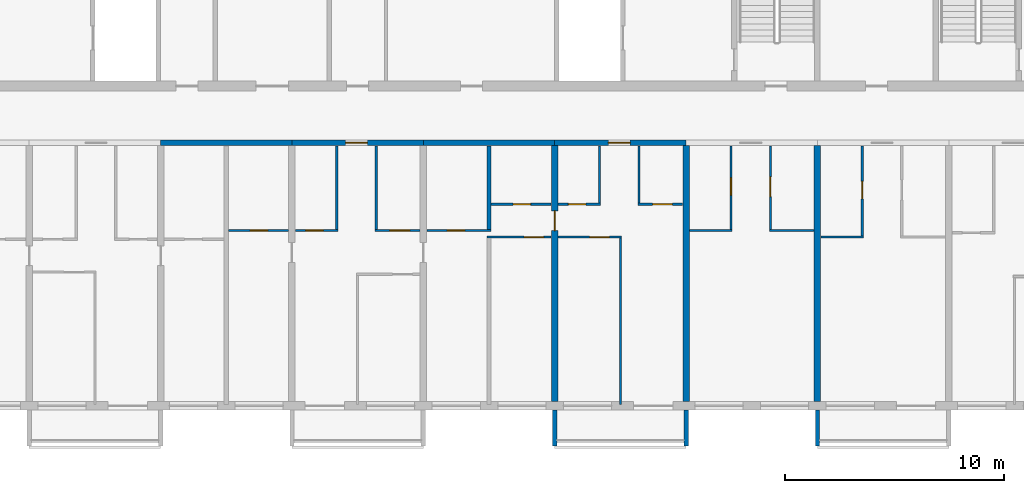
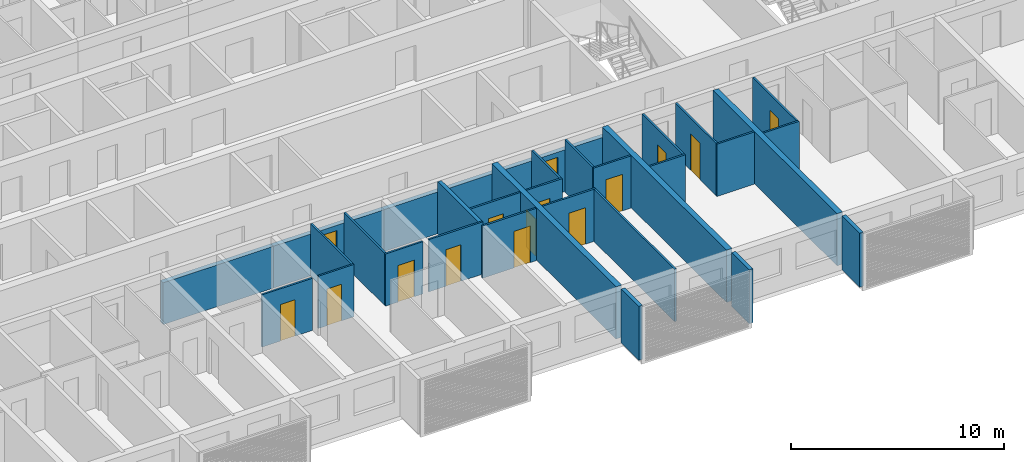
# One storey, part 5 of 32: 31 walls, 15 doors, 15 openings.
"""IFC4 building model written with IfcOpenShell, lengths in metres."""

import ifcopenshell
import ifcopenshell.guid

model = None  # the IFC model being written
_history = None  # IfcOwnerHistory: only IFC2X3 demands one
_inside = {}  # id of a spatial element -> (the spatial element, [elements in it])
_under = {}  # id of a project, library or spatial element -> (it, [spatial elements below it])
_declared = {}  # id of a project -> (the project, [libraries it declares])
_typed = {}  # id of a type object -> (the type object, [elements of that type])
_made_of = {}  # id of a material, layer set ... -> (it, [elements and type objects made of it])


def new_model(schema):
    """Start an empty IFC model of exactly this schema.

    Asked for "IFC4X3", IfcOpenShell would pick the latest addendum, in which some entities
    have other attributes; the version numbers below select the first issue.
    IFC2X3 requires an IfcOwnerHistory on every rooted entity: one is made here for all.
    """
    global model, _history
    if schema == "IFC4X3":
        model = ifcopenshell.file(schema_version=(4, 3, 0, 0))
    else:
        model = ifcopenshell.file(schema=schema)
    _inside.clear()
    _under.clear()
    _declared.clear()
    _typed.clear()
    _made_of.clear()
    _history = None
    if model.schema == "IFC2X3":
        org = make("IfcOrganization", Name="unknown")
        user = make(
            "IfcPersonAndOrganization",
            ThePerson=make("IfcPerson", FamilyName="unknown"),
            TheOrganization=org,
        )
        app = make(
            "IfcApplication",
            ApplicationDeveloper=org,
            Version="unknown",
            ApplicationFullName="unknown",
            ApplicationIdentifier="unknown",
        )
        _history = make(
            "IfcOwnerHistory",
            OwningUser=user,
            OwningApplication=app,
            ChangeAction="ADDED",
            CreationDate=0,
        )
    return model


def make(cls, **values):
    """One entity of the class cls with the attributes given. An attribute that is None is left unset."""
    return model.create_entity(
        cls, **{name: value for name, value in values.items() if value is not None}
    )


def rooted(cls, **values):
    """An entity with a GlobalId (a new one), such as an element, a storey or a relation."""
    return make(cls, GlobalId=ifcopenshell.guid.new(), OwnerHistory=_history, **values)


def si_unit(unit_type, name, prefix=None):
    """IfcSIUnit, for example si_unit("LENGTHUNIT", "METRE", prefix="MILLI")."""
    return make("IfcSIUnit", UnitType=unit_type, Prefix=prefix, Name=name)


def assignment(units):
    """IfcUnitAssignment: the units of a project."""
    return None if units is None else make("IfcUnitAssignment", Units=units)


def point(xyz):
    """IfcCartesianPoint."""
    return None if xyz is None else make("IfcCartesianPoint", Coordinates=xyz)


def direction(xyz):
    """IfcDirection."""
    return None if xyz is None else make("IfcDirection", DirectionRatios=xyz)


def frame(location, z_axis=None, x_axis=None):
    """IfcAxis2Placement3D, a coordinate frame: its origin and axes. An axis left out is left unset."""
    return make(
        "IfcAxis2Placement3D",
        Location=point(location),
        Axis=direction(z_axis),
        RefDirection=direction(x_axis),
    )


def frame_2d(location, x_axis=None):
    """IfcAxis2Placement2D, a coordinate frame in the plane: its origin and x axis."""
    return make(
        "IfcAxis2Placement2D", Location=point(location), RefDirection=direction(x_axis)
    )


def origin():
    """The frame at (0, 0, 0) with its axes left unset."""
    return frame((0.0, 0.0, 0.0))


def place(relative_to, where):
    """IfcLocalPlacement: puts the frame where relative to a parent placement (None: the world)."""
    return make(
        "IfcLocalPlacement", PlacementRelTo=relative_to, RelativePlacement=where
    )


def context(
    kind, dimensions, precision=None, world=None, true_north=None, identifier=None
):
    """IfcGeometricRepresentationContext, for example the 3D "Model" context."""
    return make(
        "IfcGeometricRepresentationContext",
        ContextIdentifier=identifier,
        ContextType=kind,
        CoordinateSpaceDimension=dimensions,
        Precision=precision,
        WorldCoordinateSystem=world,
        TrueNorth=true_north,
    )


def subcontext(parent, identifier, kind, view, scale=None):
    """IfcGeometricRepresentationSubContext, for example "Body" below "Model"."""
    return make(
        "IfcGeometricRepresentationSubContext",
        ContextIdentifier=identifier,
        ContextType=kind,
        ParentContext=parent,
        TargetScale=scale,
        TargetView=view,
    )


def project(units=None, contexts=None):
    """IfcProject with its units and contexts."""
    return rooted(
        "IfcProject",
        Name="project",
        RepresentationContexts=contexts,
        UnitsInContext=assignment(units),
    )


def spatial(cls, under=None, at=None, **own):
    """A site, building, storey or space (cls), placed at a placement, below another one or the project."""
    s = rooted(cls, ObjectPlacement=at, **own)
    if under is not None:
        _under.setdefault(under.id(), (under, []))[1].append(s)
    return s


def polyline(points):
    """IfcPolyline through the points."""
    return make("IfcPolyline", Points=[point(p) for p in points])


def profile(cls, at=None, kind="AREA", **sizes):
    """A parametric profile (cls). Its sizes go by their IFC names, for example OverallWidth=200.0."""
    return make(cls, ProfileType=kind, Position=at, **sizes)


def rectangle(**sizes):
    """IfcRectangleProfileDef."""
    return profile("IfcRectangleProfileDef", **sizes)


def outline(outer, holes=None, kind="AREA"):
    """IfcArbitraryClosedProfileDef: a profile drawn as a closed curve; with holes, ...WithVoids."""
    if holes is None:
        return make("IfcArbitraryClosedProfileDef", ProfileType=kind, OuterCurve=outer)
    return make(
        "IfcArbitraryProfileDefWithVoids",
        ProfileType=kind,
        OuterCurve=outer,
        InnerCurves=holes,
    )


def extrude(swept, where, along, depth):
    """IfcExtrudedAreaSolid: the profile swept, set in the frame where, extruded along a direction by depth."""
    return make(
        "IfcExtrudedAreaSolid",
        SweptArea=swept,
        Position=where,
        ExtrudedDirection=direction(along),
        Depth=depth,
    )


def shape(context_of_items, identifier, shape_type, items):
    """IfcShapeRepresentation: the items that make up one representation, for example the "Body"."""
    return make(
        "IfcShapeRepresentation",
        ContextOfItems=context_of_items,
        RepresentationIdentifier=identifier,
        RepresentationType=shape_type,
        Items=items,
    )


def source(mapping_origin, context_of_items, identifier, shape_type, items):
    """IfcRepresentationMap: a shape defined once, which mapped items show again and again."""
    return make(
        "IfcRepresentationMap",
        MappingOrigin=mapping_origin,
        MappedRepresentation=shape(context_of_items, identifier, shape_type, items),
    )


def transform(
    local_origin,
    x_axis=None,
    y_axis=None,
    z_axis=None,
    scale=None,
    scale2=None,
    scale3=None,
    uniform=True,
):
    """IfcCartesianTransformationOperator3D, or its non-uniform kind. x_axis, y_axis, z_axis: its Axis1, 2, 3."""
    if uniform:
        return make(
            "IfcCartesianTransformationOperator3D",
            Axis1=direction(x_axis),
            Axis2=direction(y_axis),
            LocalOrigin=point(local_origin),
            Scale=scale,
            Axis3=direction(z_axis),
        )
    return make(
        "IfcCartesianTransformationOperator3DnonUniform",
        Axis1=direction(x_axis),
        Axis2=direction(y_axis),
        LocalOrigin=point(local_origin),
        Scale=scale,
        Axis3=direction(z_axis),
        Scale2=scale2,
        Scale3=scale3,
    )


def mapped(mapping_source, mapping_target):
    """IfcMappedItem: shows the shape of a source again, moved by a transform."""
    return make(
        "IfcMappedItem", MappingSource=mapping_source, MappingTarget=mapping_target
    )


def material(Name=None, Category=None):
    """IfcMaterial."""
    return make("IfcMaterial", Name=Name, Category=Category)


def layer(
    of_material, thickness, ventilated=None, Name=None, Category=None, Priority=None
):
    """IfcMaterialLayer: one layer of a wall or slab, of a material (None: an air gap)."""
    return make(
        "IfcMaterialLayer",
        Material=of_material,
        LayerThickness=thickness,
        IsVentilated=ventilated,
        Name=Name,
        Category=Category,
        Priority=Priority,
    )


def layer_set(layers, Name=None):
    """IfcMaterialLayerSet."""
    return make("IfcMaterialLayerSet", MaterialLayers=layers, LayerSetName=Name)


def made_of(thing, what):
    """Note that an element or type object is made of a material, layer set ...; save() writes the relation."""
    if what is not None:
        _made_of.setdefault(what.id(), (what, []))[1].append(thing)
    return thing


def type_object(cls, material=None, **own):
    """A type object (cls), such as IfcWallType, which elements share."""
    return made_of(rooted(cls, **own), material)


def element(
    cls,
    number,
    at=None,
    inside=None,
    cuts=None,
    type_object=None,
    material=None,
    context=None,
    identifier="Body",
    shape_type=None,
    held_by="IfcProductDefinitionShape",
    body=None,
    shapes=None,
    **own,
):
    """One element of the class cls, such as IfcWall. Its Tag is "e" and its number.

    at: its placement. inside: the storey or other place that contains it. cuts: it is an
    opening in that element (IfcRelVoidsElement). A single representation is given by context,
    identifier, shape_type and body (its items); several are given by shapes. held_by: the class
    of the entity that holds the representations. save() writes the other relations.
    """
    e = rooted(cls, Tag="e%d" % number, ObjectPlacement=at, **own)
    if body is not None:
        shapes = [shape(context, identifier, shape_type, body)]
    if shapes is not None:
        e.Representation = make(held_by, Representations=shapes)
    if inside is not None:
        _inside.setdefault(inside.id(), (inside, []))[1].append(e)
    if cuts is not None:
        rooted(
            "IfcRelVoidsElement", RelatingBuildingElement=cuts, RelatedOpeningElement=e
        )
    if type_object is not None:
        _typed.setdefault(type_object.id(), (type_object, []))[1].append(e)
    return made_of(e, material)


def fill(opening, filler):
    """IfcRelFillsElement: the door or window that sits in an opening."""
    return rooted(
        "IfcRelFillsElement",
        RelatingOpeningElement=opening,
        RelatedBuildingElement=filler,
    )


def aggregate(whole, parts):
    """IfcRelAggregates: a whole, such as a stair, and the parts it consists of."""
    return rooted("IfcRelAggregates", RelatingObject=whole, RelatedObjects=parts)


def save(model, path):
    """Write the relations noted so far, then the file.

    IfcRelAggregates (storeys below a building ...), IfcRelContainedInSpatialStructure (elements
    in a storey), IfcRelDefinesByType, IfcRelAssociatesMaterial and IfcRelDeclares: one each for
    every whole, place, type object, material and project.
    """
    for whole, parts in _under.values():
        aggregate(whole, parts)
    for where, things in _inside.values():
        rooted(
            "IfcRelContainedInSpatialStructure",
            RelatedElements=things,
            RelatingStructure=where,
        )
    for kind, things in _typed.values():
        rooted("IfcRelDefinesByType", RelatedObjects=things, RelatingType=kind)
    for what, things in _made_of.values():
        rooted("IfcRelAssociatesMaterial", RelatedObjects=things, RelatingMaterial=what)
    for by, libraries in _declared.values():
        rooted("IfcRelDeclares", RelatingContext=by, RelatedDefinitions=libraries)
    model.write(path)


model = new_model("IFC4")

# Units and contexts
model_context = context("Model", 3, precision=1e-05, world=origin(), true_north=direction((0.0, 1.0)))
body_context = subcontext(model_context, "Body", "Model", "MODEL_VIEW")
ifc_project = project(units=[si_unit("LENGTHUNIT", "METRE"), si_unit("AREAUNIT", "SQUARE_METRE"), si_unit("VOLUMEUNIT", "CUBIC_METRE"), si_unit("PLANEANGLEUNIT", "RADIAN"), si_unit("MASSUNIT", "GRAM", prefix="KILO")], contexts=[model_context])

# Site, building, storey
site_placement = place(None, origin())
site = spatial("IfcSite", under=ifc_project, at=site_placement, CompositionType="ELEMENT")
building_placement = place(site_placement, origin())
building = spatial("IfcBuilding", under=site, at=building_placement, Name="Poui Terraces", CompositionType="ELEMENT")
storey_placement = place(building_placement, frame((0.0, 0.0, 155.39990234375)))
storey = spatial("IfcBuildingStorey", under=building, at=storey_placement, Name="L43", CompositionType="ELEMENT", Elevation=155.39990234375)

# Wall
ifc_material_1 = material(Name="Concrete 65 MPa", Category="concrete")
ifc_layer_1 = layer(ifc_material_1, 0.25)
ifc_layer_set_1 = layer_set([ifc_layer_1], Name="Concrete 65 MPa")
wall_type_1 = type_object("IfcWallType", Name="CORRIDOR WALL 250 65MPa", PredefinedType="SHEAR", material=ifc_layer_set_1)
wall_1_placement = place(storey_placement, frame((42.0, 12.0, 0.0), z_axis=(0.0, 0.0, 1.0), x_axis=(1.0, 0.0, 0.0)))
element("IfcWall", 1, at=wall_1_placement, inside=storey, type_object=wall_type_1, Name="CORRIDOR WALL LINE B BAY 6", PredefinedType="SHEAR", context=body_context, shape_type="SweptSolid", body=[
    extrude(rectangle(XDim=6.0, YDim=0.25, at=frame_2d((3.0, 0.0))), origin(), (0.0, 0.0, 1.0), 2.400146484375),
])

# Wall, opening, door
wall_2_placement = place(storey_placement, frame((48.0, 12.0, 0.0), z_axis=(0.0, 0.0, 1.0), x_axis=(1.0, 0.0, 0.0)))
wall_2 = element("IfcWall", 2, at=wall_2_placement, inside=storey, type_object=wall_type_1, Name="CORRIDOR WALL LINE B BAY 7", PredefinedType="SHEAR", context=body_context, shape_type="SweptSolid", body=[
    extrude(rectangle(XDim=6.0, YDim=0.25, at=frame_2d((3.0, 0.0))), origin(), (0.0, 0.0, 1.0), 2.400146484375),
])
opening_1_placement = place(wall_2_placement, frame((2.449951171875, 0.0, 0.0)))
opening_1 = element("IfcOpeningElement", 3, at=opening_1_placement, cuts=wall_2, Name="Opening FD30S", PredefinedType="OPENING", context=body_context, shape_type="SweptSolid", body=[
    extrude(rectangle(XDim=1.0, YDim=2.10009765625, at=frame_2d((0.5, 1.050048828125))), frame((0.0, 0.135009765625, 0.0), z_axis=(0.0, -1.0, 0.0), x_axis=(1.0, 0.0, 0.0)), (0.0, 0.0, 1.0), 0.27001953125),
])
ifc_material_2 = material(Name="Steel fire door", Category="steel")
door_type_1 = type_object("IfcDoorType", Name="FLAT ENTRANCE DOOR 1000 X 2100", OperationType="NOTDEFINED", PredefinedType="DOOR", material=ifc_material_2)
door_1_placement = place(opening_1_placement, frame((1.0, 0.0, 0.0), z_axis=(0.0, 0.0, 1.0), x_axis=(-1.0, 0.0, 0.0)))
door_1 = element("IfcDoor", 4, at=door_1_placement, inside=storey, type_object=door_type_1, Name="FLAT ENTRANCE DOOR 097", OperationType="SINGLE_SWING_RIGHT", OverallHeight=2.10009765625, OverallWidth=1.0, PredefinedType="DOOR", context=body_context, shape_type="SweptSolid", body=[
    extrude(rectangle(XDim=1.0, YDim=2.10009765625, at=frame_2d((0.5, 1.050048828125))), frame((0.0, 0.02490234375, 0.0), z_axis=(0.0, -1.0, 0.0), x_axis=(1.0, 0.0, 0.0)), (0.0, 0.0, 1.0), 0.050048828125),
])
fill(opening_1, door_1)

# Wall
wall_3_placement = place(storey_placement, frame((54.0, 12.0, 0.0), z_axis=(0.0, 0.0, 1.0), x_axis=(1.0, 0.0, 0.0)))
element("IfcWall", 5, at=wall_3_placement, inside=storey, type_object=wall_type_1, Name="CORRIDOR WALL LINE B BAY 8", PredefinedType="SHEAR", context=body_context, shape_type="SweptSolid", body=[
    extrude(rectangle(XDim=6.0, YDim=0.25, at=frame_2d((3.0, 0.0))), origin(), (0.0, 0.0, 1.0), 2.400146484375),
])

# Wall, opening, door
wall_4_placement = place(storey_placement, frame((60.0, 12.0, 0.0), z_axis=(0.0, 0.0, 1.0), x_axis=(1.0, 0.0, 0.0)))
wall_4 = element("IfcWall", 6, at=wall_4_placement, inside=storey, type_object=wall_type_1, Name="CORRIDOR WALL LINE B BAY 9", PredefinedType="SHEAR", context=body_context, shape_type="SweptSolid", body=[
    extrude(rectangle(XDim=6.0, YDim=0.25, at=frame_2d((3.0, 0.0))), origin(), (0.0, 0.0, 1.0), 2.400146484375),
])
opening_2_placement = place(wall_4_placement, frame((2.449951171875, 0.0, 0.0)))
opening_2 = element("IfcOpeningElement", 7, at=opening_2_placement, cuts=wall_4, Name="Opening FD30S", PredefinedType="OPENING", context=body_context, shape_type="SweptSolid", body=[
    extrude(rectangle(XDim=1.0, YDim=2.10009765625, at=frame_2d((0.5, 1.050048828125))), frame((0.0, 0.135009765625, 0.0), z_axis=(0.0, -1.0, 0.0), x_axis=(1.0, 0.0, 0.0)), (0.0, 0.0, 1.0), 0.27001953125),
])
door_2_placement = place(opening_2_placement, frame((1.0, 0.0, 0.0), z_axis=(0.0, 0.0, 1.0), x_axis=(-1.0, 0.0, 0.0)))
door_2 = element("IfcDoor", 8, at=door_2_placement, inside=storey, type_object=door_type_1, Name="FLAT ENTRANCE DOOR 106", OperationType="SINGLE_SWING_RIGHT", OverallHeight=2.10009765625, OverallWidth=1.0, PredefinedType="DOOR", context=body_context, shape_type="SweptSolid", body=[
    extrude(rectangle(XDim=1.0, YDim=2.10009765625, at=frame_2d((0.5, 1.050048828125))), frame((0.0, 0.02490234375, 0.0), z_axis=(0.0, -1.0, 0.0), x_axis=(1.0, 0.0, 0.0)), (0.0, 0.0, 1.0), 0.050048828125),
])
fill(opening_2, door_2)

ifc_layer_2 = layer(ifc_material_1, 0.300048828125)
ifc_layer_set_2 = layer_set([ifc_layer_2], Name="Concrete 65 MPa")
wall_type_2 = type_object("IfcWallType", Name="CROSS WALL 300 65MPa", PredefinedType="SHEAR", material=ifc_layer_set_2)
wall_5_placement = place(storey_placement, frame((60.0, 0.199951171875, 0.0), z_axis=(0.0, 0.0, 1.0), x_axis=(0.0, 1.0, 0.0)))
wall_5 = element("IfcWall", 9, at=wall_5_placement, inside=storey, type_object=wall_type_2, Name="CROSS WALL LINE 11 SOUTH", PredefinedType="SHEAR", context=body_context, shape_type="SweptSolid", body=[
    extrude(rectangle(XDim=11.675048828125, YDim=0.300048828125, at=frame_2d((5.83740234375, 0.0))), origin(), (0.0, 0.0, 1.0), 3.0),
])
opening_3_placement = place(wall_5_placement, frame((7.800048828125, 0.0, 0.0)))
opening_3 = element("IfcOpeningElement", 10, at=opening_3_placement, cuts=wall_5, Name="Opening D90", PredefinedType="OPENING", context=body_context, shape_type="SweptSolid", body=[
    extrude(rectangle(XDim=0.89990234375, YDim=2.10009765625, at=frame_2d((0.449951171875, 1.050048828125))), frame((0.0, 0.16015625, 0.0), z_axis=(0.0, -1.0, 0.0), x_axis=(1.0, 0.0, 0.0)), (0.0, 0.0, 1.0), 0.320068359375),
])
ifc_material_3 = material(Name="Solid core timber door", Category="wood")
door_type_2 = type_object("IfcDoorType", Name="INTERNAL DOOR 900 X 2100", OperationType="NOTDEFINED", PredefinedType="DOOR", material=ifc_material_3)
door_3_placement = place(opening_3_placement, frame((0.89990234375, 0.0, 0.0), z_axis=(0.0, 0.0, 1.0), x_axis=(-1.0, 0.0, 0.0)))
door_3 = element("IfcDoor", 11, at=door_3_placement, inside=storey, type_object=door_type_2, Name="INTERNAL DOOR 103", OperationType="SINGLE_SWING_LEFT", OverallHeight=2.10009765625, OverallWidth=0.89990234375, PredefinedType="DOOR", context=body_context, shape_type="SweptSolid", body=[
    extrude(rectangle(XDim=0.89990234375, YDim=2.10009765625, at=frame_2d((0.449951171875, 1.050048828125))), frame((0.0, 0.02490234375, 0.0), z_axis=(0.0, -1.0, 0.0), x_axis=(1.0, 0.0, 0.0)), (0.0, 0.0, 1.0), 0.050048828125),
])
fill(opening_3, door_3)

# Walls
for number, where, z_axis, x_axis, name in (
    (12, (66.0, 0.199951171875, 0.0), (0.0, 0.0, 1.0), (0.0, 1.0, 0.0), "CROSS WALL LINE 12 SOUTH"),
    (13, (72.0, 0.199951171875, 0.0), (0.0, 0.0, 1.0), (0.0, 1.0, 0.0), "CROSS WALL LINE 13 SOUTH"),
):
    element("IfcWall", number, at=place(storey_placement, frame(where, z_axis=z_axis, x_axis=x_axis)), inside=storey, type_object=wall_type_2, Name=name, PredefinedType="SHEAR", context=body_context, shape_type="SweptSolid", body=[
        extrude(rectangle(XDim=11.675048828125, YDim=0.300048828125, at=frame_2d((5.83740234375, 0.0))), origin(), (0.0, 0.0, 1.0), 3.0),
    ])

# Wall, opening, door
ifc_material_4 = material(Name="Plasterboard partition")
ifc_layer_3 = layer(ifc_material_4, 0.10009765625)
ifc_layer_set_3 = layer_set([ifc_layer_3], Name="Plasterboard partition")
wall_type_3 = type_object("IfcWallType", Name="FLAT PARTITION 100", PredefinedType="PARTITIONING", material=ifc_layer_set_3)
wall_6_placement = place(storey_placement, frame((56.89990234375, 7.699951171875, 0.0), z_axis=(0.0, 0.0, 1.0), x_axis=(1.0, 0.0, 0.0)))
wall_6 = element("IfcWall", 14, at=wall_6_placement, inside=storey, type_object=wall_type_3, Name="FLAT PARTITION 100", PredefinedType="PARTITIONING", context=body_context, shape_type="SweptSolid", body=[
    extrude(rectangle(XDim=2.940185546875, YDim=0.10009765625, at=frame_2d((1.47021484375, 0.0))), origin(), (0.0, 0.0, 1.0), 3.0),
])
opening_4_placement = place(wall_6_placement, frame((1.699951171875, 0.0, 0.0)))
opening_4 = element("IfcOpeningElement", 15, at=opening_4_placement, cuts=wall_6, Name="Opening D90", PredefinedType="OPENING", context=body_context, shape_type="SweptSolid", body=[
    extrude(rectangle(XDim=0.89990234375, YDim=2.10009765625, at=frame_2d((0.449951171875, 1.050048828125))), frame((0.0, 0.06005859375, 0.0), z_axis=(0.0, -1.0, 0.0), x_axis=(1.0, 0.0, 0.0)), (0.0, 0.0, 1.0), 0.1201171875),
])
door_4_placement = place(opening_4_placement, frame((0.89990234375, 0.0, 0.0), z_axis=(0.0, 0.0, 1.0), x_axis=(-1.0, 0.0, 0.0)))
door_4 = element("IfcDoor", 16, at=door_4_placement, inside=storey, type_object=door_type_2, Name="INTERNAL DOOR 102", OperationType="SINGLE_SWING_LEFT", OverallHeight=2.10009765625, OverallWidth=0.89990234375, PredefinedType="DOOR", context=body_context, shape_type="SweptSolid", body=[
    extrude(rectangle(XDim=0.89990234375, YDim=2.10009765625, at=frame_2d((0.449951171875, 1.050048828125))), frame((0.0, 0.02490234375, 0.0), z_axis=(0.0, -1.0, 0.0), x_axis=(1.0, 0.0, 0.0)), (0.0, 0.0, 1.0), 0.050048828125),
])
fill(opening_4, door_4)

wall_7_placement = place(storey_placement, frame((60.159912109375, 7.699951171875, 0.0), z_axis=(0.0, 0.0, 1.0), x_axis=(1.0, 0.0, 0.0)))
wall_7 = element("IfcWall", 17, at=wall_7_placement, inside=storey, type_object=wall_type_3, Name="FLAT PARTITION 100", PredefinedType="PARTITIONING", context=body_context, shape_type="SweptSolid", body=[
    extrude(rectangle(XDim=2.89013671875, YDim=0.10009765625, at=frame_2d((1.445068359375, 0.0))), origin(), (0.0, 0.0, 1.0), 3.0),
])
opening_5_placement = place(wall_7_placement, frame((1.43994140625, 0.0, 0.0)))
opening_5 = element("IfcOpeningElement", 18, at=opening_5_placement, cuts=wall_7, Name="Opening D90", PredefinedType="OPENING", context=body_context, shape_type="SweptSolid", body=[
    extrude(rectangle(XDim=0.89990234375, YDim=2.10009765625, at=frame_2d((0.449951171875, 1.050048828125))), frame((0.0, 0.06005859375, 0.0), z_axis=(0.0, -1.0, 0.0), x_axis=(1.0, 0.0, 0.0)), (0.0, 0.0, 1.0), 0.1201171875),
])
door_5_placement = place(opening_5_placement, origin())
door_5 = element("IfcDoor", 19, at=door_5_placement, inside=storey, type_object=door_type_2, Name="INTERNAL DOOR 105", OperationType="SINGLE_SWING_LEFT", OverallHeight=2.10009765625, OverallWidth=0.89990234375, PredefinedType="DOOR", context=body_context, shape_type="SweptSolid", body=[
    extrude(rectangle(XDim=0.89990234375, YDim=2.10009765625, at=frame_2d((0.449951171875, 1.050048828125))), frame((0.0, 0.02490234375, 0.0), z_axis=(0.0, -1.0, 0.0), x_axis=(1.0, 0.0, 0.0)), (0.0, 0.0, 1.0), 0.050048828125),
])
fill(opening_5, door_5)

# Wall
wall_8_placement = place(storey_placement, frame((72.159912109375, 7.699951171875, 0.0), z_axis=(0.0, 0.0, 1.0), x_axis=(1.0, 0.0, 0.0)))
element("IfcWall", 20, at=wall_8_placement, inside=storey, type_object=wall_type_3, Name="FLAT PARTITION 100", PredefinedType="PARTITIONING", context=body_context, shape_type="SweptSolid", body=[
    extrude(rectangle(XDim=1.940185546875, YDim=0.10009765625, at=frame_2d((0.97021484375, 0.0))), origin(), (0.0, 0.0, 1.0), 3.0),
])

# Wall, opening, door
wall_9_placement = place(storey_placement, frame((45.10009765625, 8.0, 0.0), z_axis=(0.0, 0.0, 1.0), x_axis=(1.0, 0.0, 0.0)))
wall_9 = element("IfcWall", 21, at=wall_9_placement, inside=storey, type_object=wall_type_3, Name="FLAT PARTITION 100", PredefinedType="PARTITIONING", context=body_context, shape_type="SweptSolid", body=[
    extrude(rectangle(XDim=2.739990234375, YDim=0.10009765625, at=frame_2d((1.3701171875, 0.0))), origin(), (0.0, 0.0, 1.0), 3.0),
])
opening_6_placement = place(wall_9_placement, frame((1.0, 0.0, 0.0)))
opening_6 = element("IfcOpeningElement", 22, at=opening_6_placement, cuts=wall_9, Name="Opening D80", PredefinedType="OPENING", context=body_context, shape_type="SweptSolid", body=[
    extrude(rectangle(XDim=0.800048828125, YDim=2.10009765625, at=frame_2d((0.39990234375, 1.050048828125))), frame((0.0, 0.06005859375, 0.0), z_axis=(0.0, -1.0, 0.0), x_axis=(1.0, 0.0, 0.0)), (0.0, 0.0, 1.0), 0.1201171875),
])
door_type_3 = type_object("IfcDoorType", Name="BATHROOM, LAUNDRY AND STORE DOOR 800 X 2100", OperationType="NOTDEFINED", PredefinedType="DOOR", material=ifc_material_3)
door_6_placement = place(opening_6_placement, origin())
door_6 = element("IfcDoor", 23, at=door_6_placement, inside=storey, type_object=door_type_3, Name="BATHROOM, LAUNDRY AND STORE DOOR 093", OperationType="SINGLE_SWING_LEFT", OverallHeight=2.10009765625, OverallWidth=0.800048828125, PredefinedType="DOOR", context=body_context, shape_type="SweptSolid", body=[
    extrude(rectangle(XDim=0.800048828125, YDim=2.10009765625, at=frame_2d((0.39990234375, 1.050048828125))), frame((0.0, 0.02490234375, 0.0), z_axis=(0.0, -1.0, 0.0), x_axis=(1.0, 0.0, 0.0)), (0.0, 0.0, 1.0), 0.050048828125),
])
fill(opening_6, door_6)

wall_10_placement = place(storey_placement, frame((48.159912109375, 8.0, 0.0), z_axis=(0.0, 0.0, 1.0), x_axis=(1.0, 0.0, 0.0)))
wall_10 = element("IfcWall", 24, at=wall_10_placement, inside=storey, type_object=wall_type_3, Name="FLAT PARTITION 100", PredefinedType="PARTITIONING", context=body_context, shape_type="SweptSolid", body=[
    extrude(rectangle(XDim=1.940185546875, YDim=0.10009765625, at=frame_2d((0.97021484375, 0.0))), origin(), (0.0, 0.0, 1.0), 3.0),
])
opening_7_placement = place(wall_10_placement, frame((0.465087890625, 0.0, 0.0)))
opening_7 = element("IfcOpeningElement", 25, at=opening_7_placement, cuts=wall_10, Name="Opening D80", PredefinedType="OPENING", context=body_context, shape_type="SweptSolid", body=[
    extrude(rectangle(XDim=0.800048828125, YDim=2.10009765625, at=frame_2d((0.39990234375, 1.050048828125))), frame((0.0, 0.06005859375, 0.0), z_axis=(0.0, -1.0, 0.0), x_axis=(1.0, 0.0, 0.0)), (0.0, 0.0, 1.0), 0.1201171875),
])
door_7_placement = place(opening_7_placement, origin())
door_7 = element("IfcDoor", 26, at=door_7_placement, inside=storey, type_object=door_type_3, Name="BATHROOM, LAUNDRY AND STORE DOOR 096", OperationType="SINGLE_SWING_LEFT", OverallHeight=2.10009765625, OverallWidth=0.800048828125, PredefinedType="DOOR", context=body_context, shape_type="SweptSolid", body=[
    extrude(rectangle(XDim=0.800048828125, YDim=2.10009765625, at=frame_2d((0.39990234375, 1.050048828125))), frame((0.0, 0.02490234375, 0.0), z_axis=(0.0, -1.0, 0.0), x_axis=(1.0, 0.0, 0.0)), (0.0, 0.0, 1.0), 0.050048828125),
])
fill(opening_7, door_7)

wall_11_placement = place(storey_placement, frame((51.800048828125, 8.0, 0.0), z_axis=(0.0, 0.0, 1.0), x_axis=(1.0, 0.0, 0.0)))
wall_11 = element("IfcWall", 27, at=wall_11_placement, inside=storey, type_object=wall_type_3, Name="FLAT PARTITION 100", PredefinedType="PARTITIONING", context=body_context, shape_type="SweptSolid", body=[
    extrude(rectangle(XDim=2.0400390625, YDim=0.10009765625, at=frame_2d((1.02001953125, 0.0))), origin(), (0.0, 0.0, 1.0), 3.0),
])
opening_8_placement = place(wall_11_placement, frame((0.675048828125, 0.0, 0.0)))
opening_8 = element("IfcOpeningElement", 28, at=opening_8_placement, cuts=wall_11, Name="Opening D90", PredefinedType="OPENING", context=body_context, shape_type="SweptSolid", body=[
    extrude(rectangle(XDim=0.89990234375, YDim=2.10009765625, at=frame_2d((0.449951171875, 1.050048828125))), frame((0.0, 0.06005859375, 0.0), z_axis=(0.0, -1.0, 0.0), x_axis=(1.0, 0.0, 0.0)), (0.0, 0.0, 1.0), 0.1201171875),
])
door_8_placement = place(opening_8_placement, origin())
door_8 = element("IfcDoor", 29, at=door_8_placement, inside=storey, type_object=door_type_2, Name="INTERNAL DOOR 098", OperationType="SINGLE_SWING_RIGHT", OverallHeight=2.10009765625, OverallWidth=0.89990234375, PredefinedType="DOOR", context=body_context, shape_type="SweptSolid", body=[
    extrude(rectangle(XDim=0.89990234375, YDim=2.10009765625, at=frame_2d((0.449951171875, 1.050048828125))), frame((0.0, 0.02490234375, 0.0), z_axis=(0.0, -1.0, 0.0), x_axis=(1.0, 0.0, 0.0)), (0.0, 0.0, 1.0), 0.050048828125),
])
fill(opening_8, door_8)

wall_12_placement = place(storey_placement, frame((54.159912109375, 8.0, 0.0), z_axis=(0.0, 0.0, 1.0), x_axis=(1.0, 0.0, 0.0)))
wall_12 = element("IfcWall", 30, at=wall_12_placement, inside=storey, type_object=wall_type_3, Name="FLAT PARTITION 100", PredefinedType="PARTITIONING", context=body_context, shape_type="SweptSolid", body=[
    extrude(rectangle(XDim=2.940185546875, YDim=0.10009765625, at=frame_2d((1.47021484375, 0.0))), origin(), (0.0, 0.0, 1.0), 3.0),
])
opening_9_placement = place(wall_12_placement, frame((0.93994140625, 0.0, 0.0)))
opening_9 = element("IfcOpeningElement", 31, at=opening_9_placement, cuts=wall_12, Name="Opening D80", PredefinedType="OPENING", context=body_context, shape_type="SweptSolid", body=[
    extrude(rectangle(XDim=0.800048828125, YDim=2.10009765625, at=frame_2d((0.39990234375, 1.050048828125))), frame((0.0, 0.06005859375, 0.0), z_axis=(0.0, -1.0, 0.0), x_axis=(1.0, 0.0, 0.0)), (0.0, 0.0, 1.0), 0.1201171875),
])
door_9_placement = place(opening_9_placement, origin())
door_9 = element("IfcDoor", 32, at=door_9_placement, inside=storey, type_object=door_type_3, Name="BATHROOM, LAUNDRY AND STORE DOOR 094", OperationType="SINGLE_SWING_LEFT", OverallHeight=2.10009765625, OverallWidth=0.800048828125, PredefinedType="DOOR", context=body_context, shape_type="SweptSolid", body=[
    extrude(rectangle(XDim=0.800048828125, YDim=2.10009765625, at=frame_2d((0.39990234375, 1.050048828125))), frame((0.0, 0.02490234375, 0.0), z_axis=(0.0, -1.0, 0.0), x_axis=(1.0, 0.0, 0.0)), (0.0, 0.0, 1.0), 0.050048828125),
])
fill(opening_9, door_9)

# Walls
wall_13_placement = place(storey_placement, frame((66.159912109375, 8.0, 0.0), z_axis=(0.0, 0.0, 1.0), x_axis=(1.0, 0.0, 0.0)))
element("IfcWall", 33, at=wall_13_placement, inside=storey, type_object=wall_type_3, Name="FLAT PARTITION 100", PredefinedType="PARTITIONING", context=body_context, shape_type="SweptSolid", body=[
    extrude(rectangle(XDim=1.940185546875, YDim=0.10009765625, at=frame_2d((0.97021484375, 0.0))), origin(), (0.0, 0.0, 1.0), 3.0),
])
wall_14_placement = place(storey_placement, frame((69.800048828125, 8.0, 0.0), z_axis=(0.0, 0.0, 1.0), x_axis=(1.0, 0.0, 0.0)))
element("IfcWall", 34, at=wall_14_placement, inside=storey, type_object=wall_type_3, Name="FLAT PARTITION 100", PredefinedType="PARTITIONING", context=body_context, shape_type="SweptSolid", body=[
    extrude(rectangle(XDim=2.0400390625, YDim=0.10009765625, at=frame_2d((1.02001953125, 0.0))), origin(), (0.0, 0.0, 1.0), 3.0),
])

# Wall, opening, door
wall_15_placement = place(storey_placement, frame((57.10009765625, 9.199951171875, 0.0), z_axis=(0.0, 0.0, 1.0), x_axis=(1.0, 0.0, 0.0)))
wall_15 = element("IfcWall", 35, at=wall_15_placement, inside=storey, type_object=wall_type_3, Name="FLAT PARTITION 100", PredefinedType="PARTITIONING", context=body_context, shape_type="SweptSolid", body=[
    extrude(rectangle(XDim=2.739990234375, YDim=0.10009765625, at=frame_2d((1.3701171875, 0.0))), origin(), (0.0, 0.0, 1.0), 3.0),
])
opening_10_placement = place(wall_15_placement, frame((1.0, 0.0, 0.0)))
opening_10 = element("IfcOpeningElement", 36, at=opening_10_placement, cuts=wall_15, Name="Opening D80", PredefinedType="OPENING", context=body_context, shape_type="SweptSolid", body=[
    extrude(rectangle(XDim=0.800048828125, YDim=2.10009765625, at=frame_2d((0.39990234375, 1.050048828125))), frame((0.0, 0.06005859375, 0.0), z_axis=(0.0, -1.0, 0.0), x_axis=(1.0, 0.0, 0.0)), (0.0, 0.0, 1.0), 0.1201171875),
])
door_10_placement = place(opening_10_placement, origin())
door_10 = element("IfcDoor", 37, at=door_10_placement, inside=storey, type_object=door_type_3, Name="BATHROOM, LAUNDRY AND STORE DOOR 101", OperationType="SINGLE_SWING_LEFT", OverallHeight=2.10009765625, OverallWidth=0.800048828125, PredefinedType="DOOR", context=body_context, shape_type="SweptSolid", body=[
    extrude(rectangle(XDim=0.800048828125, YDim=2.10009765625, at=frame_2d((0.39990234375, 1.050048828125))), frame((0.0, 0.02490234375, 0.0), z_axis=(0.0, -1.0, 0.0), x_axis=(1.0, 0.0, 0.0)), (0.0, 0.0, 1.0), 0.050048828125),
])
fill(opening_10, door_10)

wall_16_placement = place(storey_placement, frame((60.159912109375, 9.199951171875, 0.0), z_axis=(0.0, 0.0, 1.0), x_axis=(1.0, 0.0, 0.0)))
wall_16 = element("IfcWall", 38, at=wall_16_placement, inside=storey, type_object=wall_type_3, Name="FLAT PARTITION 100", PredefinedType="PARTITIONING", context=body_context, shape_type="SweptSolid", body=[
    extrude(rectangle(XDim=1.940185546875, YDim=0.10009765625, at=frame_2d((0.97021484375, 0.0))), origin(), (0.0, 0.0, 1.0), 3.0),
])
opening_11_placement = place(wall_16_placement, frame((0.465087890625, 0.0, 0.0)))
opening_11 = element("IfcOpeningElement", 39, at=opening_11_placement, cuts=wall_16, Name="Opening D80", PredefinedType="OPENING", context=body_context, shape_type="SweptSolid", body=[
    extrude(rectangle(XDim=0.800048828125, YDim=2.10009765625, at=frame_2d((0.39990234375, 1.050048828125))), frame((0.0, 0.06005859375, 0.0), z_axis=(0.0, -1.0, 0.0), x_axis=(1.0, 0.0, 0.0)), (0.0, 0.0, 1.0), 0.1201171875),
])
door_11_placement = place(opening_11_placement, origin())
door_11 = element("IfcDoor", 40, at=door_11_placement, inside=storey, type_object=door_type_3, Name="BATHROOM, LAUNDRY AND STORE DOOR 104", OperationType="SINGLE_SWING_RIGHT", OverallHeight=2.10009765625, OverallWidth=0.800048828125, PredefinedType="DOOR", context=body_context, shape_type="SweptSolid", body=[
    extrude(rectangle(XDim=0.800048828125, YDim=2.10009765625, at=frame_2d((0.39990234375, 1.050048828125))), frame((0.0, 0.02490234375, 0.0), z_axis=(0.0, -1.0, 0.0), x_axis=(1.0, 0.0, 0.0)), (0.0, 0.0, 1.0), 0.050048828125),
])
fill(opening_11, door_11)

wall_17_placement = place(storey_placement, frame((63.800048828125, 9.199951171875, 0.0), z_axis=(0.0, 0.0, 1.0), x_axis=(1.0, 0.0, 0.0)))
wall_17 = element("IfcWall", 41, at=wall_17_placement, inside=storey, type_object=wall_type_3, Name="FLAT PARTITION 100", PredefinedType="PARTITIONING", context=body_context, shape_type="SweptSolid", body=[
    extrude(rectangle(XDim=2.0400390625, YDim=0.10009765625, at=frame_2d((1.02001953125, 0.0))), origin(), (0.0, 0.0, 1.0), 3.0),
])
opening_12_placement = place(wall_17_placement, frame((0.675048828125, 0.0, 0.0)))
opening_12 = element("IfcOpeningElement", 42, at=opening_12_placement, cuts=wall_17, Name="Opening D90", PredefinedType="OPENING", context=body_context, shape_type="SweptSolid", body=[
    extrude(rectangle(XDim=0.89990234375, YDim=2.10009765625, at=frame_2d((0.449951171875, 1.050048828125))), frame((0.0, 0.06005859375, 0.0), z_axis=(0.0, -1.0, 0.0), x_axis=(1.0, 0.0, 0.0)), (0.0, 0.0, 1.0), 0.1201171875),
])
door_12_placement = place(opening_12_placement, origin())
door_12 = element("IfcDoor", 43, at=door_12_placement, inside=storey, type_object=door_type_2, Name="INTERNAL DOOR 107", OperationType="SINGLE_SWING_LEFT", OverallHeight=2.10009765625, OverallWidth=0.89990234375, PredefinedType="DOOR", context=body_context, shape_type="SweptSolid", body=[
    extrude(rectangle(XDim=0.89990234375, YDim=2.10009765625, at=frame_2d((0.449951171875, 1.050048828125))), frame((0.0, 0.02490234375, 0.0), z_axis=(0.0, -1.0, 0.0), x_axis=(1.0, 0.0, 0.0)), (0.0, 0.0, 1.0), 0.050048828125),
])
fill(opening_12, door_12)

# Walls
for number, where, z_axis, x_axis, name in (
    (44, (50.050048828125, 8.050048828125, 0.0), (0.0, 0.0, 1.0), (0.0, 1.0, 0.0), "FLAT PARTITION 100"),
    (45, (51.85009765625, 8.050048828125, 0.0), (0.0, 0.0, 1.0), (0.0, 1.0, 0.0), "FLAT PARTITION 100"),
):
    element("IfcWall", number, at=place(storey_placement, frame(where, z_axis=z_axis, x_axis=x_axis)), inside=storey, type_object=wall_type_3, Name=name, PredefinedType="PARTITIONING", context=body_context, shape_type="SweptSolid", body=[
        extrude(rectangle(XDim=3.81494140625, YDim=0.10009765625, at=frame_2d((1.907470703125, 0.0))), origin(), (0.0, 0.0, 1.0), 3.0),
    ])
wall_18_placement = place(storey_placement, frame((62.050048828125, 9.25, 0.0), z_axis=(0.0, 0.0, 1.0), x_axis=(0.0, 1.0, 0.0)))
element("IfcWall", 46, at=wall_18_placement, inside=storey, type_object=wall_type_3, Name="FLAT PARTITION 100", PredefinedType="PARTITIONING", context=body_context, shape_type="SweptSolid", body=[
    extrude(rectangle(XDim=2.614990234375, YDim=0.10009765625, at=frame_2d((1.3076171875, 0.0))), origin(), (0.0, 0.0, 1.0), 3.0),
])
wall_19_placement = place(storey_placement, frame((63.0, 0.06005859375, 0.0), z_axis=(0.0, 0.0, 1.0), x_axis=(0.0, 1.0, 0.0)))
element("IfcWall", 47, at=wall_19_placement, inside=storey, type_object=wall_type_3, Name="FLAT PARTITION 100", PredefinedType="PARTITIONING", context=body_context, shape_type="SweptSolid", body=[
    extrude(rectangle(XDim=7.58984375, YDim=0.10009765625, at=frame_2d((3.794921875, 0.0))), origin(), (0.0, 0.0, 1.0), 3.0),
])
wall_20_placement = place(storey_placement, frame((63.85009765625, 9.25, 0.0), z_axis=(0.0, 0.0, 1.0), x_axis=(0.0, 1.0, 0.0)))
element("IfcWall", 48, at=wall_20_placement, inside=storey, type_object=wall_type_3, Name="FLAT PARTITION 100", PredefinedType="PARTITIONING", context=body_context, shape_type="SweptSolid", body=[
    extrude(rectangle(XDim=2.614990234375, YDim=0.10009765625, at=frame_2d((1.3076171875, 0.0))), origin(), (0.0, 0.0, 1.0), 3.0),
])

# Wall, opening, door
wall_21_placement = place(storey_placement, frame((68.050048828125, 8.050048828125, 0.0), z_axis=(0.0, 0.0, 1.0), x_axis=(0.0, 1.0, 0.0)))
wall_21 = element("IfcWall", 49, at=wall_21_placement, inside=storey, type_object=wall_type_3, Name="FLAT PARTITION 100", PredefinedType="PARTITIONING", context=body_context, shape_type="SweptSolid", body=[
    extrude(rectangle(XDim=3.81494140625, YDim=0.10009765625, at=frame_2d((1.907470703125, 0.0))), origin(), (0.0, 0.0, 1.0), 3.0),
])
opening_13_placement = place(wall_21_placement, frame((1.550048828125, 0.0, 0.0)))
opening_13 = element("IfcOpeningElement", 50, at=opening_13_placement, cuts=wall_21, Name="Opening D80", PredefinedType="OPENING", context=body_context, shape_type="SweptSolid", body=[
    extrude(rectangle(XDim=0.800048828125, YDim=2.10009765625, at=frame_2d((0.39990234375, 1.050048828125))), frame((0.0, 0.06005859375, 0.0), z_axis=(0.0, -1.0, 0.0), x_axis=(1.0, 0.0, 0.0)), (0.0, 0.0, 1.0), 0.1201171875),
])
door_13_placement = place(opening_13_placement, origin())
door_13 = element("IfcDoor", 51, at=door_13_placement, inside=storey, type_object=door_type_3, Name="BATHROOM, LAUNDRY AND STORE DOOR 108", OperationType="SINGLE_SWING_RIGHT", OverallHeight=2.10009765625, OverallWidth=0.800048828125, PredefinedType="DOOR", context=body_context, shape_type="SweptSolid", body=[
    extrude(rectangle(XDim=0.800048828125, YDim=2.10009765625, at=frame_2d((0.39990234375, 1.050048828125))), frame((0.0, 0.02490234375, 0.0), z_axis=(0.0, -1.0, 0.0), x_axis=(1.0, 0.0, 0.0)), (0.0, 0.0, 1.0), 0.050048828125),
])
fill(opening_13, door_13)

wall_22_placement = place(storey_placement, frame((69.85009765625, 8.050048828125, 0.0), z_axis=(0.0, 0.0, 1.0), x_axis=(0.0, 1.0, 0.0)))
wall_22 = element("IfcWall", 52, at=wall_22_placement, inside=storey, type_object=wall_type_3, Name="FLAT PARTITION 100", PredefinedType="PARTITIONING", context=body_context, shape_type="SweptSolid", body=[
    extrude(rectangle(XDim=3.81494140625, YDim=0.10009765625, at=frame_2d((1.907470703125, 0.0))), origin(), (0.0, 0.0, 1.0), 3.0),
])
opening_14_placement = place(wall_22_placement, frame((1.5, 0.0, 0.0)))
opening_14 = element("IfcOpeningElement", 53, at=opening_14_placement, cuts=wall_22, Name="Opening D90", PredefinedType="OPENING", context=body_context, shape_type="SweptSolid", body=[
    extrude(rectangle(XDim=0.89990234375, YDim=2.10009765625, at=frame_2d((0.449951171875, 1.050048828125))), frame((0.0, 0.06005859375, 0.0), z_axis=(0.0, -1.0, 0.0), x_axis=(1.0, 0.0, 0.0)), (0.0, 0.0, 1.0), 0.1201171875),
])
door_14_placement = place(opening_14_placement, frame((0.89990234375, 0.0, 0.0), z_axis=(0.0, 0.0, 1.0), x_axis=(-1.0, 0.0, 0.0)))
door_14 = element("IfcDoor", 54, at=door_14_placement, inside=storey, type_object=door_type_2, Name="INTERNAL DOOR 110", OperationType="SINGLE_SWING_RIGHT", OverallHeight=2.10009765625, OverallWidth=0.89990234375, PredefinedType="DOOR", context=body_context, shape_type="SweptSolid", body=[
    extrude(rectangle(XDim=0.89990234375, YDim=2.10009765625, at=frame_2d((0.449951171875, 1.050048828125))), frame((0.0, 0.02490234375, 0.0), z_axis=(0.0, -1.0, 0.0), x_axis=(1.0, 0.0, 0.0)), (0.0, 0.0, 1.0), 0.050048828125),
])
fill(opening_14, door_14)

wall_23_placement = place(storey_placement, frame((74.050048828125, 7.75, 0.0), z_axis=(0.0, 0.0, 1.0), x_axis=(0.0, 1.0, 0.0)))
wall_23 = element("IfcWall", 55, at=wall_23_placement, inside=storey, type_object=wall_type_3, Name="FLAT PARTITION 100", PredefinedType="PARTITIONING", context=body_context, shape_type="SweptSolid", body=[
    extrude(rectangle(XDim=4.114990234375, YDim=0.10009765625, at=frame_2d((2.0576171875, 0.0))), origin(), (0.0, 0.0, 1.0), 3.0),
])
opening_15_placement = place(wall_23_placement, frame((1.699951171875, 0.0, 0.0)))
opening_15 = element("IfcOpeningElement", 56, at=opening_15_placement, cuts=wall_23, Name="Opening D80", PredefinedType="OPENING", context=body_context, shape_type="SweptSolid", body=[
    extrude(rectangle(XDim=0.800048828125, YDim=2.10009765625, at=frame_2d((0.39990234375, 1.050048828125))), frame((0.0, 0.06005859375, 0.0), z_axis=(0.0, -1.0, 0.0), x_axis=(1.0, 0.0, 0.0)), (0.0, 0.0, 1.0), 0.1201171875),
])
door_15_placement = place(opening_15_placement, origin())
door_15 = element("IfcDoor", 57, at=door_15_placement, inside=storey, type_object=door_type_3, Name="BATHROOM, LAUNDRY AND STORE DOOR 111", OperationType="SINGLE_SWING_LEFT", OverallHeight=2.10009765625, OverallWidth=0.800048828125, PredefinedType="DOOR", context=body_context, shape_type="SweptSolid", body=[
    extrude(rectangle(XDim=0.800048828125, YDim=2.10009765625, at=frame_2d((0.39990234375, 1.050048828125))), frame((0.0, 0.02490234375, 0.0), z_axis=(0.0, -1.0, 0.0), x_axis=(1.0, 0.0, 0.0)), (0.0, 0.0, 1.0), 0.050048828125),
])
fill(opening_15, door_15)

# Walls
ifc_material_5 = material(Name="Fire-rated masonry wall", Category="masonry")
ifc_layer_4 = layer(ifc_material_5, 0.199951171875)
ifc_layer_set_4 = layer_set([ifc_layer_4], Name="Fire-rated masonry wall")
wall_type_4 = type_object("IfcWallType", Name="FLAT PARTY WALL 200", PredefinedType="PARTITIONING", material=ifc_layer_set_4)
wall_24_placement = place(storey_placement, frame((57.0, 8.050048828125, 0.0), z_axis=(0.0, 0.0, 1.0), x_axis=(0.0, 1.0, 0.0)))
element("IfcWall", 58, at=wall_24_placement, inside=storey, type_object=wall_type_4, Name="FLAT PARTY WALL 200", PredefinedType="PARTITIONING", context=body_context, shape_type="SweptSolid", body=[
    extrude(rectangle(XDim=3.81494140625, YDim=0.199951171875, at=frame_2d((1.907470703125, 0.0))), origin(), (0.0, 0.0, 1.0), 3.0),
])
ifc_material_6 = material(Name="Precast concrete 40 MPa", Category="concrete")
ifc_layer_5 = layer(ifc_material_6, 0.199951171875)
ifc_layer_set_5 = layer_set([ifc_layer_5], Name="Precast concrete 40 MPa")
wall_type_5 = type_object("IfcWallType", Name="REAR FIN 200", PredefinedType="STANDARD", material=ifc_layer_set_5)
shared_shape = source(origin(), body_context, "Body", "SweptSolid", [
    extrude(outline(polyline([(0.0, 0.0), (0.2001953125, 0.0), (0.2001953125, 1.650146484375), (0.0, 1.650146484375), (0.0, 0.0)])), origin(), (0.0, 0.0, 1.0), 3.10009765625),
])
for number, where, name in (
    (59, (59.89990234375, -1.85009765625, 0.0), "REAR FIN"),
    (60, (65.89990234375, -1.85009765625, 0.0), "REAR FIN"),
    (61, (71.89990234375, -1.85009765625, 0.0), "REAR FIN"),
):
    element("IfcWall", number, at=place(storey_placement, frame(where)), inside=storey, type_object=wall_type_5, Name=name, PredefinedType="STANDARD", context=body_context, shape_type="MappedRepresentation", body=[
        mapped(shared_shape, transform((0.0, 0.0, 0.0))),
    ])

save(model, "model.ifc")
